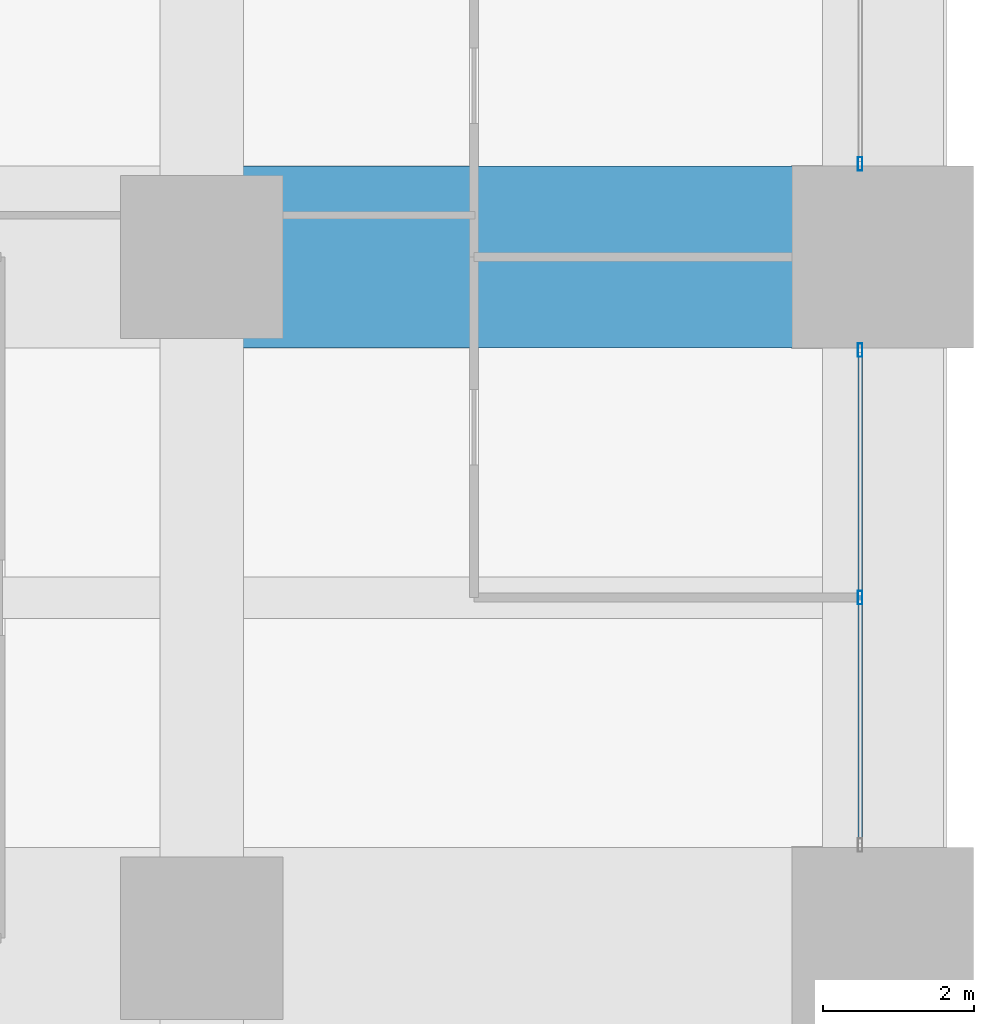
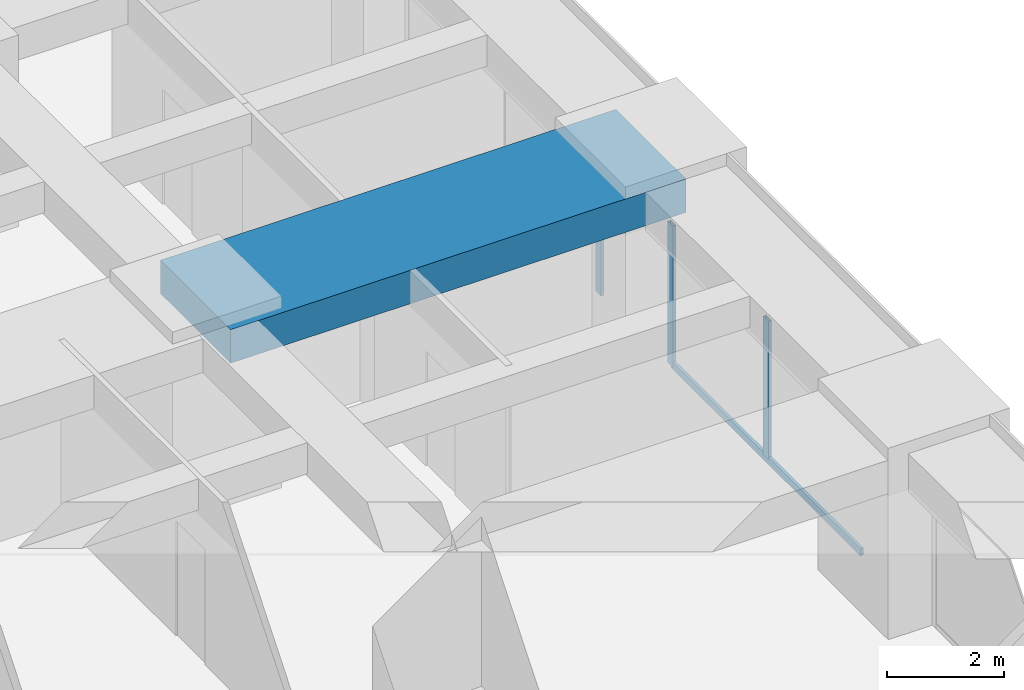
# One storey, part 31 of 45: 4 members, 1 beam, 2 elements without a shape of their own.
"""IFC4 building model written with IfcOpenShell, lengths in metres."""

from ifc_helpers import new_model, si_unit, direction, frame, origin, origin_2d, place, context, subcontext, project, spatial, rectangle, hollow_rectangle, extrude, material, material_profile, profile_set, type_object, element, aggregate, save


model = new_model("IFC4")

# Units and contexts
model_context = context("Model", 3, precision=1e-05, world=origin(), true_north=direction((0.0, 1.0)))
body_context = subcontext(model_context, "Body", "Model", "MODEL_VIEW")
ifc_project = project(units=[si_unit("LENGTHUNIT", "METRE"), si_unit("AREAUNIT", "SQUARE_METRE"), si_unit("VOLUMEUNIT", "CUBIC_METRE"), si_unit("PLANEANGLEUNIT", "RADIAN"), si_unit("MASSUNIT", "GRAM", prefix="KILO")], contexts=[model_context])

# Site, building, storey
site_placement = place(None, origin())
site = spatial("IfcSite", under=ifc_project, at=site_placement, CompositionType="ELEMENT")
building_placement = place(site_placement, origin())
building = spatial("IfcBuilding", under=site, at=building_placement, Name="Zorevar Civic Tower", CompositionType="ELEMENT")
storey_placement = place(building_placement, frame((0.0, 0.0, 71.800048828125)))
storey = spatial("IfcBuildingStorey", under=building, at=storey_placement, Name="L17", CompositionType="ELEMENT", Elevation=71.800048828125)

# Beam
ifc_material_1 = material(Name="Concrete C50/60", Category="concrete")
ifc_material_profile_1 = material_profile(ifc_material_1, rectangle(XDim=2.39990234375, YDim=0.699951171875, at=origin_2d()), Name="RC 2400x700")
ifc_profile_set_1 = profile_set([ifc_material_profile_1], Name="Concrete C50/60")
beam_type = type_object("IfcBeamType", Name="Beam RC 2400x700", PredefinedType="BEAM", material=ifc_profile_set_1)
beam_placement = place(storey_placement, frame((54.0, 36.0, 3.39990234375), z_axis=(1.0, 0.0, 0.0), x_axis=(0.0, 1.0, 0.0)))
element("IfcBeam", 1, at=beam_placement, inside=storey, type_object=beam_type, Name="Girder L18", PredefinedType="BEAM", context=body_context, shape_type="SweptSolid", body=[
    extrude(rectangle(XDim=2.39990234375, YDim=0.699951171875, at=origin_2d()), origin(), (0.0, 0.0, 1.0), 9.0),
])

# Curtain wall, members
ifc_material_2 = material(Name="Dark grey solar-control glass in black aluminium frame", Category="aluminium")
curtain_wall_type = type_object("IfcCurtainWallType", Name="Curtain wall CW2 low zone", PredefinedType="NOTDEFINED", material=ifc_material_2)
curtain_wall_1_placement = place(storey_placement, origin())
curtain_wall_1 = element("IfcCurtainWall", 2, at=curtain_wall_1_placement, inside=storey, type_object=curtain_wall_type, Name="CW2 L17", PredefinedType="NOTDEFINED")
ifc_material_3 = material(Name="Aluminium, black anodised", Category="aluminium")
ifc_material_profile_2 = material_profile(ifc_material_3, hollow_rectangle(XDim=0.06005859375, YDim=0.179931640625, WallThickness=0.00390625, at=origin_2d()), Name="AL 180x60x4")
ifc_profile_set_2 = profile_set([ifc_material_profile_2], Name="Aluminium, black anodised")
member_type_1 = type_object("IfcMemberType", Name="CW2 mullion AL 180x60x4", PredefinedType="MULLION", material=ifc_profile_set_2)
member_1_placement = place(storey_placement, frame((62.699951171875, 31.5, 0.06005859375), z_axis=(0.0, 0.0, 1.0), x_axis=(-1.0, 0.0, 0.0)))
member_1 = element("IfcMember", 3, at=member_1_placement, type_object=member_type_1, Name="CW2 mullion 2", PredefinedType="MULLION", context=body_context, shape_type="SweptSolid", body=[
    extrude(hollow_rectangle(XDim=0.06005859375, YDim=0.179931640625, WallThickness=0.00390625, at=origin_2d()), origin(), (0.0, 0.0, 1.0), 2.889892578125),
])
member_2_placement = place(storey_placement, frame((62.699951171875, 34.77001953125, 0.0), z_axis=(0.0, 0.0, 1.0), x_axis=(-1.0, 0.0, 0.0)))
member_2 = element("IfcMember", 4, at=member_2_placement, type_object=member_type_1, Name="CW2 mullion 3", PredefinedType="MULLION", context=body_context, shape_type="SweptSolid", body=[
    extrude(hollow_rectangle(XDim=0.06005859375, YDim=0.179931640625, WallThickness=0.00390625, at=origin_2d()), origin(), (0.0, 0.0, 1.0), 2.949951171875),
])

# Curtain wall, member
curtain_wall_2_placement = place(storey_placement, origin())
curtain_wall_2 = element("IfcCurtainWall", 5, at=curtain_wall_2_placement, inside=storey, type_object=curtain_wall_type, Name="CW2 L17", PredefinedType="NOTDEFINED")
member_3_placement = place(storey_placement, frame((62.699951171875, 37.22998046875, 0.0), z_axis=(0.0, 0.0, 1.0), x_axis=(-1.0, 0.0, 0.0)))
member_3 = element("IfcMember", 6, at=member_3_placement, type_object=member_type_1, Name="CW2 mullion 1", PredefinedType="MULLION", context=body_context, shape_type="SweptSolid", body=[
    extrude(hollow_rectangle(XDim=0.06005859375, YDim=0.179931640625, WallThickness=0.00390625, at=origin_2d()), origin(), (0.0, 0.0, 1.0), 2.949951171875),
])
aggregate(curtain_wall_2, [member_3])

# Member
ifc_material_4 = material(Name="Aluminium, black anodised", Category="aluminium")
ifc_material_profile_3 = material_profile(ifc_material_4, hollow_rectangle(XDim=0.06005859375, YDim=0.14990234375, WallThickness=0.00390625, at=origin_2d()), Name="AL 150x60x4")
ifc_profile_set_3 = profile_set([ifc_material_profile_3], Name="Aluminium, black anodised")
member_type_2 = type_object("IfcMemberType", Name="CW2 transom AL 150x60x4", PredefinedType="USERDEFINED", material=ifc_profile_set_3)
member_4_placement = place(storey_placement, frame((62.699951171875, 28.260009765625, 0.030029296875), z_axis=(0.0, 1.0, 0.0), x_axis=(-1.0, 0.0, 0.0)))
member_4 = element("IfcMember", 7, at=member_4_placement, type_object=member_type_2, Name="CW2 sill transom", ObjectType="TRANSOM", PredefinedType="USERDEFINED", context=body_context, shape_type="SweptSolid", body=[
    extrude(hollow_rectangle(XDim=0.06005859375, YDim=0.14990234375, WallThickness=0.00390625, at=origin_2d()), origin(), (0.0, 0.0, 1.0), 6.47998046875),
])

aggregate(curtain_wall_1, [member_1, member_2, member_4])

save(model, "model.ifc")
